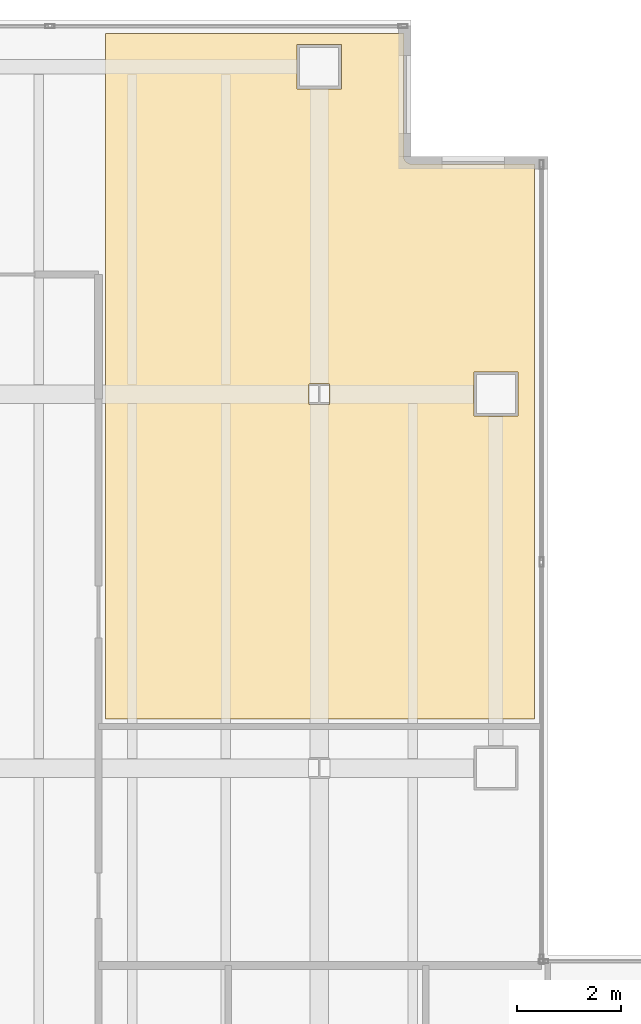
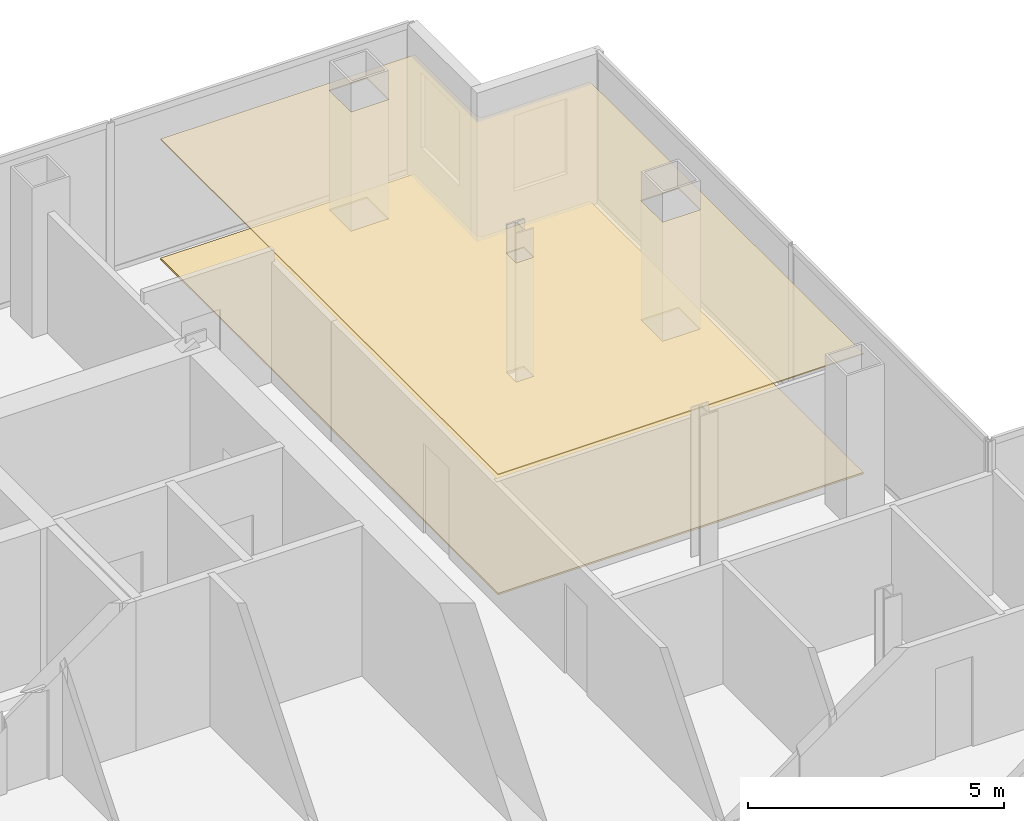
# One storey, part 24 of 24: 2 coverings.
"""IFC4 building model written with IfcOpenShell, lengths in metres."""

from ifc_helpers import new_model, si_unit, direction, frame, origin, place, context, subcontext, project, spatial, polyline, outline, extrude, material, layer, layer_set, type_object, element, save


model = new_model("IFC4")

# Units and contexts
model_context = context("Model", 3, precision=1e-05, world=origin(), true_north=direction((0.0, 1.0)))
body_context = subcontext(model_context, "Body", "Model", "MODEL_VIEW")
ifc_project = project(units=[si_unit("LENGTHUNIT", "METRE"), si_unit("AREAUNIT", "SQUARE_METRE"), si_unit("VOLUMEUNIT", "CUBIC_METRE"), si_unit("PLANEANGLEUNIT", "RADIAN"), si_unit("MASSUNIT", "GRAM", prefix="KILO")], contexts=[model_context])

# Site, building, storey
site_placement = place(None, origin())
site = spatial("IfcSite", under=ifc_project, at=site_placement, CompositionType="ELEMENT")
building_placement = place(site_placement, origin())
building = spatial("IfcBuilding", under=site, at=building_placement, Name="Cobrela Telecom Tower", CompositionType="ELEMENT")
storey_placement = place(building_placement, frame((0.0, 0.0, 152.25)))
storey = spatial("IfcBuildingStorey", under=building, at=storey_placement, Name="L38", CompositionType="ELEMENT", Elevation=152.25)

# Coverings
ifc_material_1 = material(Name="Mineral Fibre Acoustic Ceiling Tile")
ifc_layer_1 = layer(ifc_material_1, 0.02490234375)
ifc_layer_set_1 = layer_set([ifc_layer_1], Name="Mineral Fibre Acoustic Ceiling Tile")
covering_type_1 = type_object("IfcCoveringType", Name="COV-CEIL-ACT", PredefinedType="CEILING", material=ifc_layer_set_1)
covering_1_placement = place(storey_placement, frame((0.0, 0.0, 2.860107421875)))
element("IfcCovering", 1, at=covering_1_placement, inside=storey, type_object=covering_type_1, Name="L38 Executive Reading Study 4 Suspended Acoustic Ceiling", PredefinedType="CEILING", context=body_context, shape_type="SweptSolid", body=[
    extrude(outline(polyline([(23.22998046875, 42.93994140625), (23.22998046875, 40.569091796875), (23.230712890625, 40.556396484375), (23.232666015625, 40.542724609375), (23.236083984375, 40.529296875), (23.240478515625, 40.516357421875), (23.24658203125, 40.50390625), (23.253662109375, 40.4921875), (23.26171875, 40.481201171875), (23.27099609375, 40.470947265625), (23.28125, 40.461669921875), (23.2919921875, 40.45361328125), (23.303955078125, 40.446533203125), (23.31640625, 40.440673828125), (23.329345703125, 40.43603515625), (23.3427734375, 40.4326171875), (23.356201171875, 40.4306640625), (23.368896484375, 40.429931640625), (25.739990234375, 40.429931640625), (25.739990234375, 29.739990234375), (17.489990234375, 29.739990234375), (17.489990234375, 42.93994140625), (23.22998046875, 42.93994140625)]), holes=[polyline([(21.799560546875, 35.802978515625), (21.799560546875, 36.197021484375), (21.400390625, 36.197021484375), (21.400390625, 35.802978515625), (21.799560546875, 35.802978515625)]), polyline([(25.425048828125, 35.574951171875), (25.425048828125, 36.425048828125), (24.574951171875, 36.425048828125), (24.574951171875, 35.574951171875), (25.425048828125, 35.574951171875)]), polyline([(22.02490234375, 41.875), (22.02490234375, 42.72509765625), (21.175048828125, 42.72509765625), (21.175048828125, 41.875), (22.02490234375, 41.875)])]), origin(), (0.0, 0.0, 1.0), 0.02490234375),
])
ifc_material_2 = material(Name="Honed Colombian Basalt Stone", Category="masonry")
ifc_layer_2 = layer(ifc_material_2, 0.0400390625)
ifc_layer_set_2 = layer_set([ifc_layer_2], Name="Honed Colombian Basalt Stone")
covering_type_2 = type_object("IfcCoveringType", Name="COV-FLR-STONE", PredefinedType="FLOORING", material=ifc_layer_set_2)
covering_2_placement = place(storey_placement, origin())
element("IfcCovering", 2, at=covering_2_placement, inside=storey, type_object=covering_type_2, Name="L38 Executive Reading Study 4 Raised Technical Flooring", PredefinedType="FLOORING", context=body_context, shape_type="SweptSolid", body=[
    extrude(outline(polyline([(23.22998046875, 42.93994140625), (23.22998046875, 40.569091796875), (23.230712890625, 40.556396484375), (23.232666015625, 40.542724609375), (23.236083984375, 40.529296875), (23.240478515625, 40.516357421875), (23.24658203125, 40.50390625), (23.253662109375, 40.4921875), (23.26171875, 40.481201171875), (23.27099609375, 40.470947265625), (23.28125, 40.461669921875), (23.2919921875, 40.45361328125), (23.303955078125, 40.446533203125), (23.31640625, 40.440673828125), (23.329345703125, 40.43603515625), (23.3427734375, 40.4326171875), (23.356201171875, 40.4306640625), (23.368896484375, 40.429931640625), (25.739990234375, 40.429931640625), (25.739990234375, 29.739990234375), (17.489990234375, 29.739990234375), (17.489990234375, 42.93994140625), (23.22998046875, 42.93994140625)]), holes=[polyline([(21.799560546875, 35.802978515625), (21.799560546875, 36.197021484375), (21.400390625, 36.197021484375), (21.400390625, 35.802978515625), (21.799560546875, 35.802978515625)]), polyline([(25.425048828125, 35.574951171875), (25.425048828125, 36.425048828125), (24.574951171875, 36.425048828125), (24.574951171875, 35.574951171875), (25.425048828125, 35.574951171875)]), polyline([(22.02490234375, 41.875), (22.02490234375, 42.72509765625), (21.175048828125, 42.72509765625), (21.175048828125, 41.875), (22.02490234375, 41.875)])]), origin(), (0.0, 0.0, 1.0), 0.0400390625),
])

save(model, "model.ifc")
